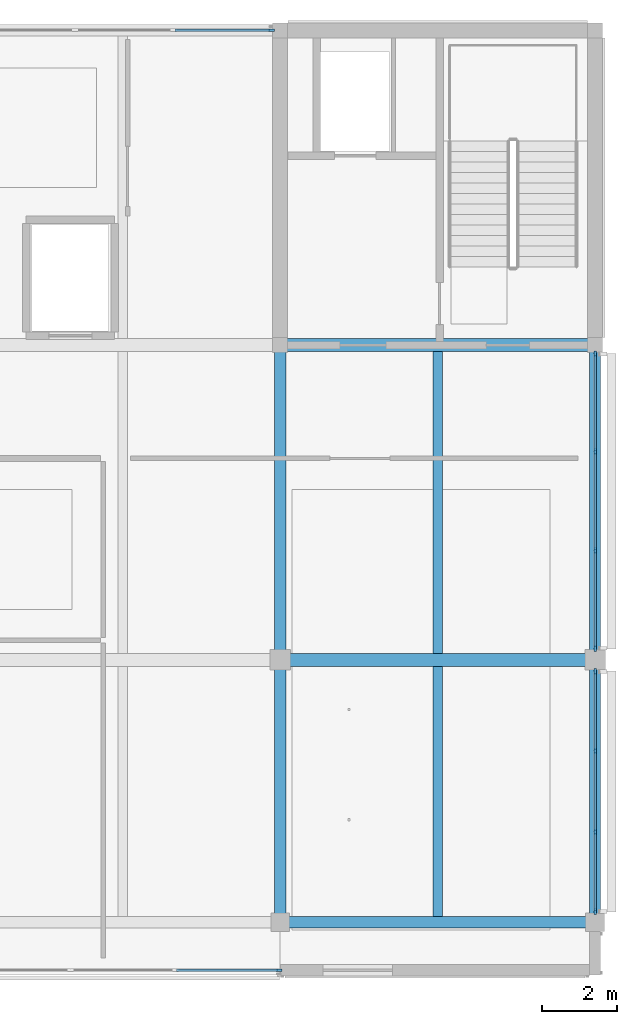
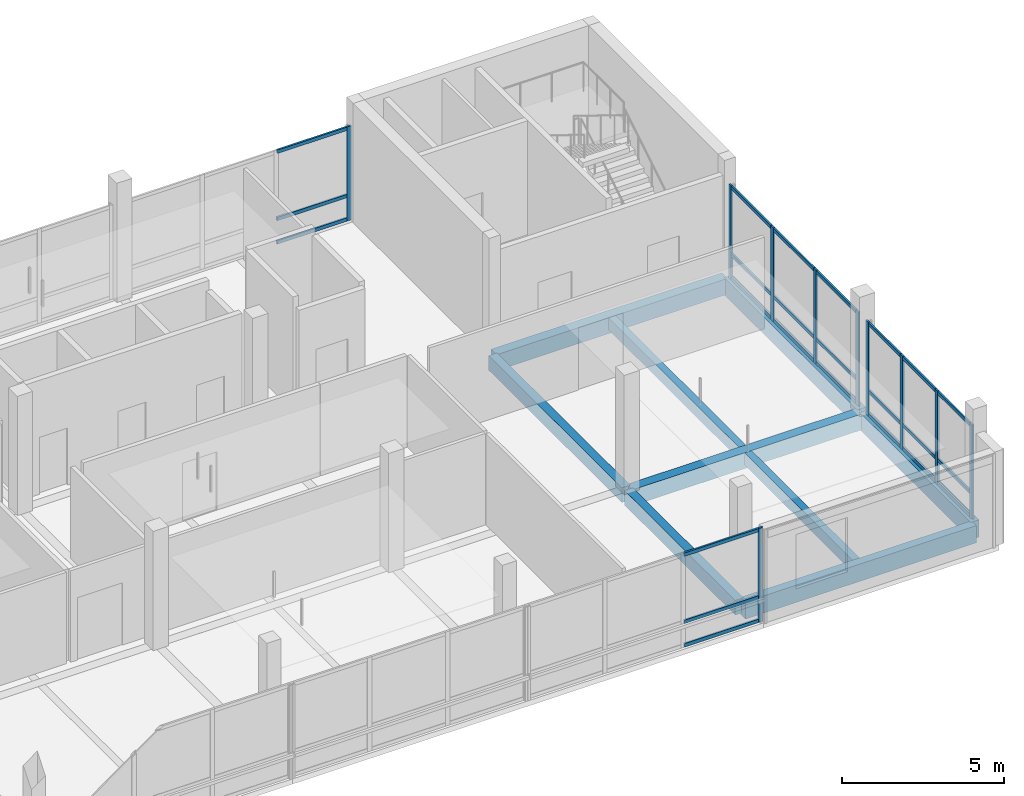
# One storey, part 5 of 20: 34 members, 9 beams, 4 elements without a shape of their own.
"""IFC4 building model written with IfcOpenShell, lengths in metres."""

from ifc_helpers import new_model, si_unit, direction, frame, origin, origin_2d, place, context, subcontext, project, spatial, rectangle, extrude, material, layer, layer_set, material_profile, profile_set, type_object, element, aggregate, save


model = new_model("IFC4")

# Units and contexts
model_context = context("Model", 3, precision=1e-05, world=origin(), true_north=direction((0.0, 1.0)))
body_context = subcontext(model_context, "Body", "Model", "MODEL_VIEW")
ifc_project = project(units=[si_unit("LENGTHUNIT", "METRE"), si_unit("AREAUNIT", "SQUARE_METRE"), si_unit("VOLUMEUNIT", "CUBIC_METRE"), si_unit("PLANEANGLEUNIT", "RADIAN"), si_unit("MASSUNIT", "GRAM", prefix="KILO")], contexts=[model_context])

# Site, building, storey
site_placement = place(None, origin())
site = spatial("IfcSite", under=ifc_project, at=site_placement, CompositionType="ELEMENT")
building_placement = place(site_placement, origin())
building = spatial("IfcBuilding", under=site, at=building_placement, Name="Telukmera Botanical Conservatory", CompositionType="ELEMENT")
storey_placement = place(building_placement, frame((0.0, 0.0, 69.0)))
storey = spatial("IfcBuildingStorey", under=building, at=storey_placement, Name="L15", CompositionType="ELEMENT", Elevation=69.0)

# Beams
ifc_material_1 = material(Name="Concrete C40/50", Category="concrete")
ifc_material_profile_1 = material_profile(ifc_material_1, rectangle(XDim=0.300048828125, YDim=0.550048828125, at=origin_2d()), Name="RC 300x550")
ifc_profile_set_1 = profile_set([ifc_material_profile_1], Name="Concrete C40/50")
beam_type_1 = type_object("IfcBeamType", Name="Beam_B10", PredefinedType="BEAM", material=ifc_profile_set_1)
beam_1_placement = place(storey_placement, frame((92.39990234375, 10.679931640625, -0.27490234375), z_axis=(0.0, 1.0, 0.0), x_axis=(-1.0, 0.0, 0.0)))
element("IfcBeam", 1, at=beam_1_placement, inside=storey, type_object=beam_type_1, Name="Tower Transverse Beam L15", PredefinedType="BEAM", context=body_context, shape_type="SweptSolid", body=[
    extrude(rectangle(XDim=0.300048828125, YDim=0.550048828125, at=origin_2d()), origin(), (0.0, 0.0, 1.0), 6.840087890625),
])
beam_2_placement = place(storey_placement, frame((92.39990234375, 17.679931640625, -0.27490234375), z_axis=(0.0, 1.0, 0.0), x_axis=(-1.0, 0.0, 0.0)))
element("IfcBeam", 2, at=beam_2_placement, inside=storey, type_object=beam_type_1, Name="Tower Transverse Beam L15", PredefinedType="BEAM", context=body_context, shape_type="SweptSolid", body=[
    extrude(rectangle(XDim=0.300048828125, YDim=0.550048828125, at=origin_2d()), origin(), (0.0, 0.0, 1.0), 8.239990234375),
])
ifc_material_profile_2 = material_profile(ifc_material_1, rectangle(XDim=0.25, YDim=0.449951171875, at=origin_2d()), Name="RC 250x450")
ifc_profile_set_2 = profile_set([ifc_material_profile_2], Name="Concrete C40/50")
beam_type_2 = type_object("IfcBeamType", Name="Beam_B27", PredefinedType="JOIST", material=ifc_profile_set_2)
beam_3_placement = place(storey_placement, frame((96.60009765625, 10.75, -0.22509765625), z_axis=(0.0, 1.0, 0.0), x_axis=(-1.0, 0.0, 0.0)))
element("IfcBeam", 3, at=beam_3_placement, inside=storey, type_object=beam_type_2, Name="Tower Secondary Floor Joist L15", PredefinedType="JOIST", context=body_context, shape_type="SweptSolid", body=[
    extrude(rectangle(XDim=0.25, YDim=0.449951171875, at=origin_2d()), origin(), (0.0, 0.0, 1.0), 6.675048828125),
])
beam_4_placement = place(storey_placement, frame((96.60009765625, 17.77490234375, -0.22509765625), z_axis=(0.0, 1.0, 0.0), x_axis=(-1.0, 0.0, 0.0)))
element("IfcBeam", 4, at=beam_4_placement, inside=storey, type_object=beam_type_2, Name="Tower Secondary Floor Joist L15", PredefinedType="JOIST", context=body_context, shape_type="SweptSolid", body=[
    extrude(rectangle(XDim=0.25, YDim=0.449951171875, at=origin_2d()), origin(), (0.0, 0.0, 1.0), 8.050048828125),
])
ifc_material_profile_3 = material_profile(ifc_material_1, rectangle(XDim=0.35009765625, YDim=0.60009765625, at=origin_2d()), Name="RC 350x600")
ifc_profile_set_3 = profile_set([ifc_material_profile_3], Name="Concrete C40/50")
beam_type_3 = type_object("IfcBeamType", Name="Beam_B9", PredefinedType="BEAM", material=ifc_profile_set_3)
for number, where, z_axis, x_axis, name in (
    (5, (92.47998046875, 17.60009765625, -0.300048828125), (1.0, 0.0, 0.0), (0.0, 1.0, 0.0), "Tower Grid Beam L15"),
    (6, (92.47998046875, 26.0, -0.300048828125), (1.0, 0.0, 0.0), (0.0, 1.0, 0.0), "Tower Grid Beam L15"),
):
    element("IfcBeam", number, at=place(storey_placement, frame(where, z_axis=z_axis, x_axis=x_axis)), inside=storey, type_object=beam_type_3, Name=name, PredefinedType="BEAM", context=body_context, shape_type="SweptSolid", body=[
        extrude(rectangle(XDim=0.35009765625, YDim=0.60009765625, at=origin_2d()), origin(), (0.0, 0.0, 1.0), 8.239990234375),
    ])
ifc_material_2 = material(Name="Precast concrete C40/50", Category="concrete")
ifc_material_profile_4 = material_profile(ifc_material_2, rectangle(XDim=0.300048828125, YDim=0.64990234375, at=origin_2d()), Name="PC 300x650")
ifc_profile_set_4 = profile_set([ifc_material_profile_4], Name="Precast concrete C40/50")
beam_type_4 = type_object("IfcBeamType", Name="Beam_SP4", PredefinedType="SPANDREL", material=ifc_profile_set_4)
beam_5_placement = place(storey_placement, frame((92.47998046875, 10.60009765625, -0.324951171875), z_axis=(1.0, 0.0, 0.0), x_axis=(0.0, 1.0, 0.0)))
element("IfcBeam", 7, at=beam_5_placement, inside=storey, type_object=beam_type_4, Name="Tower Grid Beam L15", PredefinedType="SPANDREL", context=body_context, shape_type="SweptSolid", body=[
    extrude(rectangle(XDim=0.300048828125, YDim=0.64990234375, at=origin_2d()), origin(), (0.0, 0.0, 1.0), 8.239990234375),
])
beam_6_placement = place(storey_placement, frame((100.800048828125, 10.679931640625, -0.324951171875), z_axis=(0.0, 1.0, 0.0), x_axis=(-1.0, 0.0, 0.0)))
element("IfcBeam", 8, at=beam_6_placement, inside=storey, type_object=beam_type_4, Name="Tower Transverse Beam L15", PredefinedType="SPANDREL", context=body_context, shape_type="SweptSolid", body=[
    extrude(rectangle(XDim=0.300048828125, YDim=0.64990234375, at=origin_2d()), origin(), (0.0, 0.0, 1.0), 6.840087890625),
])
beam_7_placement = place(storey_placement, frame((100.800048828125, 17.679931640625, -0.324951171875), z_axis=(0.0, 1.0, 0.0), x_axis=(-1.0, 0.0, 0.0)))
element("IfcBeam", 9, at=beam_7_placement, inside=storey, type_object=beam_type_4, Name="Tower Transverse Beam L15", PredefinedType="SPANDREL", context=body_context, shape_type="SweptSolid", body=[
    extrude(rectangle(XDim=0.300048828125, YDim=0.64990234375, at=origin_2d()), origin(), (0.0, 0.0, 1.0), 8.239990234375),
])

# Curtain wall, member
ifc_material_3 = material(Name="Anodised aluminium 6063-T6", Category="aluminium")
ifc_layer = layer(ifc_material_3, 0.179931640625)
ifc_layer_set = layer_set([ifc_layer], Name="Anodised aluminium 6063-T6")
curtain_wall_type = type_object("IfcCurtainWallType", Name="Tower Sky Gallery Panoramic Curtain Wall", PredefinedType="USERDEFINED", material=ifc_layer_set)
curtain_wall_1_placement = place(storey_placement, origin())
curtain_wall_1 = element("IfcCurtainWall", 10, at=curtain_wall_1_placement, inside=storey, type_object=curtain_wall_type, Name="Unitised Curtain Wall CW16 V4:L15:S4", ObjectType="UNITISED CURTAIN WALL", PredefinedType="USERDEFINED")
ifc_material_profile_5 = material_profile(ifc_material_3, rectangle(XDim=0.06494140625, YDim=0.159912109375, at=origin_2d()), Name="ALU MULL 65x160")
ifc_profile_set_5 = profile_set([ifc_material_profile_5], Name="Anodised aluminium 6063-T6")
member_type_1 = type_object("IfcMemberType", Name="Curtain Wall Extruded Mullion 65x160", PredefinedType="MULLION", material=ifc_profile_set_5)
member_1_placement = place(storey_placement, frame((92.365478515625, 9.320068359375, 0.0), z_axis=(0.0, 0.0, 1.0), x_axis=(0.0, 1.0, 0.0)))
member_1 = element("IfcMember", 11, at=member_1_placement, type_object=member_type_1, Name="CW16 mullion 4", PredefinedType="MULLION", context=body_context, shape_type="SweptSolid", body=[
    extrude(rectangle(XDim=0.06494140625, YDim=0.159912109375, at=origin_2d()), origin(), (0.0, 0.0, 1.0), 3.550048828125),
])

curtain_wall_2_placement = place(storey_placement, origin())
curtain_wall_2 = element("IfcCurtainWall", 12, at=curtain_wall_2_placement, inside=storey, type_object=curtain_wall_type, Name="Unitised Curtain Wall CW16 V4:L15:N4", ObjectType="UNITISED CURTAIN WALL", PredefinedType="USERDEFINED")
member_2_placement = place(storey_placement, frame((92.16552734375, 34.39990234375, 0.0), z_axis=(0.0, 0.0, 1.0), x_axis=(0.0, 1.0, 0.0)))
member_2 = element("IfcMember", 13, at=member_2_placement, type_object=member_type_1, Name="CW16 mullion 4", PredefinedType="MULLION", context=body_context, shape_type="SweptSolid", body=[
    extrude(rectangle(XDim=0.06494140625, YDim=0.159912109375, at=origin_2d()), origin(), (0.0, 0.0, 1.0), 3.550048828125),
])

# Curtain wall, members
curtain_wall_3_placement = place(storey_placement, origin())
curtain_wall_3 = element("IfcCurtainWall", 14, at=curtain_wall_3_placement, inside=storey, type_object=curtain_wall_type, Name="Unitised Curtain Wall CW16 V4:L15:E1", ObjectType="UNITISED CURTAIN WALL", PredefinedType="USERDEFINED")
member_3_placement = place(storey_placement, frame((100.800048828125, 10.884521484375, 0.0), z_axis=(0.0, 0.0, 1.0), x_axis=(-1.0, 0.0, 0.0)))
member_3 = element("IfcMember", 15, at=member_3_placement, type_object=member_type_1, Name="CW16 mullion 1", PredefinedType="MULLION", context=body_context, shape_type="SweptSolid", body=[
    extrude(rectangle(XDim=0.06494140625, YDim=0.159912109375, at=origin_2d()), origin(), (0.0, 0.0, 1.0), 3.550048828125),
])
member_4_placement = place(storey_placement, frame((100.800048828125, 13.009033203125, 0.0), z_axis=(0.0, 0.0, 1.0), x_axis=(-1.0, 0.0, 0.0)))
member_4 = element("IfcMember", 16, at=member_4_placement, type_object=member_type_1, Name="CW16 mullion 2", PredefinedType="MULLION", context=body_context, shape_type="SweptSolid", body=[
    extrude(rectangle(XDim=0.06494140625, YDim=0.159912109375, at=origin_2d()), origin(), (0.0, 0.0, 1.0), 3.550048828125),
])
member_5_placement = place(storey_placement, frame((100.800048828125, 15.166015625, 0.0), z_axis=(0.0, 0.0, 1.0), x_axis=(-1.0, 0.0, 0.0)))
member_5 = element("IfcMember", 17, at=member_5_placement, type_object=member_type_1, Name="CW16 mullion 3", PredefinedType="MULLION", context=body_context, shape_type="SweptSolid", body=[
    extrude(rectangle(XDim=0.06494140625, YDim=0.159912109375, at=origin_2d()), origin(), (0.0, 0.0, 1.0), 3.550048828125),
])
member_6_placement = place(storey_placement, frame((100.800048828125, 17.29052734375, 0.0), z_axis=(0.0, 0.0, 1.0), x_axis=(-1.0, 0.0, 0.0)))
member_6 = element("IfcMember", 18, at=member_6_placement, type_object=member_type_1, Name="CW16 mullion 4", PredefinedType="MULLION", context=body_context, shape_type="SweptSolid", body=[
    extrude(rectangle(XDim=0.06494140625, YDim=0.159912109375, at=origin_2d()), origin(), (0.0, 0.0, 1.0), 3.550048828125),
])

curtain_wall_4_placement = place(storey_placement, origin())
curtain_wall_4 = element("IfcCurtainWall", 19, at=curtain_wall_4_placement, inside=storey, type_object=curtain_wall_type, Name="Unitised Curtain Wall CW16 V4:L15:E2", ObjectType="UNITISED CURTAIN WALL", PredefinedType="USERDEFINED")
member_7_placement = place(storey_placement, frame((100.800048828125, 17.909423828125, 0.0), z_axis=(0.0, 0.0, 1.0), x_axis=(-1.0, 0.0, 0.0)))
member_7 = element("IfcMember", 20, at=member_7_placement, type_object=member_type_1, Name="CW16 mullion 1", PredefinedType="MULLION", context=body_context, shape_type="SweptSolid", body=[
    extrude(rectangle(XDim=0.06494140625, YDim=0.159912109375, at=origin_2d()), origin(), (0.0, 0.0, 1.0), 3.550048828125),
])
member_8_placement = place(storey_placement, frame((100.800048828125, 20.517333984375, 0.0), z_axis=(0.0, 0.0, 1.0), x_axis=(-1.0, 0.0, 0.0)))
member_8 = element("IfcMember", 21, at=member_8_placement, type_object=member_type_1, Name="CW16 mullion 2", PredefinedType="MULLION", context=body_context, shape_type="SweptSolid", body=[
    extrude(rectangle(XDim=0.06494140625, YDim=0.159912109375, at=origin_2d()), origin(), (0.0, 0.0, 1.0), 3.550048828125),
])
member_9_placement = place(storey_placement, frame((100.800048828125, 23.15771484375, 0.0), z_axis=(0.0, 0.0, 1.0), x_axis=(-1.0, 0.0, 0.0)))
member_9 = element("IfcMember", 22, at=member_9_placement, type_object=member_type_1, Name="CW16 mullion 3", PredefinedType="MULLION", context=body_context, shape_type="SweptSolid", body=[
    extrude(rectangle(XDim=0.06494140625, YDim=0.159912109375, at=origin_2d()), origin(), (0.0, 0.0, 1.0), 3.550048828125),
])
member_10_placement = place(storey_placement, frame((100.800048828125, 25.765380859375, 0.0), z_axis=(0.0, 0.0, 1.0), x_axis=(-1.0, 0.0, 0.0)))
member_10 = element("IfcMember", 23, at=member_10_placement, type_object=member_type_1, Name="CW16 mullion 4", PredefinedType="MULLION", context=body_context, shape_type="SweptSolid", body=[
    extrude(rectangle(XDim=0.06494140625, YDim=0.159912109375, at=origin_2d()), origin(), (0.0, 0.0, 1.0), 3.550048828125),
])

# Member
ifc_material_profile_6 = material_profile(ifc_material_3, rectangle(XDim=0.06494140625, YDim=0.1298828125, at=origin_2d()), Name="ALU TRAN 65x130")
ifc_profile_set_6 = profile_set([ifc_material_profile_6], Name="Anodised aluminium 6063-T6")
member_type_2 = type_object("IfcMemberType", Name="Curtain Wall Extruded Transom 65x130", PredefinedType="USERDEFINED", material=ifc_profile_set_6)
member_11_placement = place(storey_placement, frame((89.6318359375, 9.320068359375, 0.06494140625), z_axis=(1.0, 0.0, 0.0), x_axis=(0.0, 1.0, 0.0)))
member_11 = element("IfcMember", 24, at=member_11_placement, type_object=member_type_2, Name="CW16 transom 3.1", ObjectType="TRANSOM", PredefinedType="USERDEFINED", context=body_context, shape_type="SweptSolid", body=[
    extrude(rectangle(XDim=0.06494140625, YDim=0.1298828125, at=origin_2d()), origin(), (0.0, 0.0, 1.0), 2.701171875),
])

member_12_placement = place(storey_placement, frame((89.6318359375, 9.320068359375, 0.949951171875), z_axis=(1.0, 0.0, 0.0), x_axis=(0.0, 1.0, 0.0)))
member_12 = element("IfcMember", 25, at=member_12_placement, type_object=member_type_2, Name="CW16 transom 3.2", ObjectType="TRANSOM", PredefinedType="USERDEFINED", context=body_context, shape_type="SweptSolid", body=[
    extrude(rectangle(XDim=0.06494140625, YDim=0.1298828125, at=origin_2d()), origin(), (0.0, 0.0, 1.0), 2.701171875),
])

member_13_placement = place(storey_placement, frame((89.6318359375, 9.320068359375, 3.485107421875), z_axis=(1.0, 0.0, 0.0), x_axis=(0.0, 1.0, 0.0)))
member_13 = element("IfcMember", 26, at=member_13_placement, type_object=member_type_2, Name="CW16 transom 3.3", ObjectType="TRANSOM", PredefinedType="USERDEFINED", context=body_context, shape_type="SweptSolid", body=[
    extrude(rectangle(XDim=0.06494140625, YDim=0.1298828125, at=origin_2d()), origin(), (0.0, 0.0, 1.0), 2.701171875),
])

aggregate(curtain_wall_1, [member_1, member_11, member_12, member_13])

member_14_placement = place(storey_placement, frame((89.590087890625, 34.39990234375, 0.06494140625), z_axis=(1.0, 0.0, 0.0), x_axis=(0.0, 1.0, 0.0)))
member_14 = element("IfcMember", 27, at=member_14_placement, type_object=member_type_2, Name="CW16 transom 3.1", ObjectType="TRANSOM", PredefinedType="USERDEFINED", context=body_context, shape_type="SweptSolid", body=[
    extrude(rectangle(XDim=0.06494140625, YDim=0.1298828125, at=origin_2d()), origin(), (0.0, 0.0, 1.0), 2.54296875),
])

member_15_placement = place(storey_placement, frame((89.590087890625, 34.39990234375, 0.949951171875), z_axis=(1.0, 0.0, 0.0), x_axis=(0.0, 1.0, 0.0)))
member_15 = element("IfcMember", 28, at=member_15_placement, type_object=member_type_2, Name="CW16 transom 3.2", ObjectType="TRANSOM", PredefinedType="USERDEFINED", context=body_context, shape_type="SweptSolid", body=[
    extrude(rectangle(XDim=0.06494140625, YDim=0.1298828125, at=origin_2d()), origin(), (0.0, 0.0, 1.0), 2.54296875),
])

member_16_placement = place(storey_placement, frame((89.590087890625, 34.39990234375, 3.485107421875), z_axis=(1.0, 0.0, 0.0), x_axis=(0.0, 1.0, 0.0)))
member_16 = element("IfcMember", 29, at=member_16_placement, type_object=member_type_2, Name="CW16 transom 3.3", ObjectType="TRANSOM", PredefinedType="USERDEFINED", context=body_context, shape_type="SweptSolid", body=[
    extrude(rectangle(XDim=0.06494140625, YDim=0.1298828125, at=origin_2d()), origin(), (0.0, 0.0, 1.0), 2.54296875),
])

aggregate(curtain_wall_2, [member_2, member_14, member_15, member_16])

member_17_placement = place(storey_placement, frame((100.800048828125, 10.9169921875, 0.06494140625), z_axis=(0.0, 1.0, 0.0), x_axis=(-1.0, 0.0, 0.0)))
member_17 = element("IfcMember", 30, at=member_17_placement, type_object=member_type_2, Name="CW16 transom 1.1", ObjectType="TRANSOM", PredefinedType="USERDEFINED", context=body_context, shape_type="SweptSolid", body=[
    extrude(rectangle(XDim=0.06494140625, YDim=0.1298828125, at=origin_2d()), origin(), (0.0, 0.0, 1.0), 2.0595703125),
])

member_18_placement = place(storey_placement, frame((100.800048828125, 10.9169921875, 0.949951171875), z_axis=(0.0, 1.0, 0.0), x_axis=(-1.0, 0.0, 0.0)))
member_18 = element("IfcMember", 31, at=member_18_placement, type_object=member_type_2, Name="CW16 transom 1.2", ObjectType="TRANSOM", PredefinedType="USERDEFINED", context=body_context, shape_type="SweptSolid", body=[
    extrude(rectangle(XDim=0.06494140625, YDim=0.1298828125, at=origin_2d()), origin(), (0.0, 0.0, 1.0), 2.0595703125),
])

member_19_placement = place(storey_placement, frame((100.800048828125, 10.9169921875, 3.485107421875), z_axis=(0.0, 1.0, 0.0), x_axis=(-1.0, 0.0, 0.0)))
member_19 = element("IfcMember", 32, at=member_19_placement, type_object=member_type_2, Name="CW16 transom 1.3", ObjectType="TRANSOM", PredefinedType="USERDEFINED", context=body_context, shape_type="SweptSolid", body=[
    extrude(rectangle(XDim=0.06494140625, YDim=0.1298828125, at=origin_2d()), origin(), (0.0, 0.0, 1.0), 2.0595703125),
])

member_20_placement = place(storey_placement, frame((100.800048828125, 13.04150390625, 0.06494140625), z_axis=(0.0, 1.0, 0.0), x_axis=(-1.0, 0.0, 0.0)))
member_20 = element("IfcMember", 33, at=member_20_placement, type_object=member_type_2, Name="CW16 transom 2.1", ObjectType="TRANSOM", PredefinedType="USERDEFINED", context=body_context, shape_type="SweptSolid", body=[
    extrude(rectangle(XDim=0.06494140625, YDim=0.1298828125, at=origin_2d()), origin(), (0.0, 0.0, 1.0), 2.092041015625),
])

member_21_placement = place(storey_placement, frame((100.800048828125, 13.04150390625, 0.949951171875), z_axis=(0.0, 1.0, 0.0), x_axis=(-1.0, 0.0, 0.0)))
member_21 = element("IfcMember", 34, at=member_21_placement, type_object=member_type_2, Name="CW16 transom 2.2", ObjectType="TRANSOM", PredefinedType="USERDEFINED", context=body_context, shape_type="SweptSolid", body=[
    extrude(rectangle(XDim=0.06494140625, YDim=0.1298828125, at=origin_2d()), origin(), (0.0, 0.0, 1.0), 2.092041015625),
])

member_22_placement = place(storey_placement, frame((100.800048828125, 13.04150390625, 3.485107421875), z_axis=(0.0, 1.0, 0.0), x_axis=(-1.0, 0.0, 0.0)))
member_22 = element("IfcMember", 35, at=member_22_placement, type_object=member_type_2, Name="CW16 transom 2.3", ObjectType="TRANSOM", PredefinedType="USERDEFINED", context=body_context, shape_type="SweptSolid", body=[
    extrude(rectangle(XDim=0.06494140625, YDim=0.1298828125, at=origin_2d()), origin(), (0.0, 0.0, 1.0), 2.092041015625),
])

member_23_placement = place(storey_placement, frame((100.800048828125, 15.198486328125, 0.06494140625), z_axis=(0.0, 1.0, 0.0), x_axis=(-1.0, 0.0, 0.0)))
member_23 = element("IfcMember", 36, at=member_23_placement, type_object=member_type_2, Name="CW16 transom 3.1", ObjectType="TRANSOM", PredefinedType="USERDEFINED", context=body_context, shape_type="SweptSolid", body=[
    extrude(rectangle(XDim=0.06494140625, YDim=0.1298828125, at=origin_2d()), origin(), (0.0, 0.0, 1.0), 2.0595703125),
])

member_24_placement = place(storey_placement, frame((100.800048828125, 15.198486328125, 0.949951171875), z_axis=(0.0, 1.0, 0.0), x_axis=(-1.0, 0.0, 0.0)))
member_24 = element("IfcMember", 37, at=member_24_placement, type_object=member_type_2, Name="CW16 transom 3.2", ObjectType="TRANSOM", PredefinedType="USERDEFINED", context=body_context, shape_type="SweptSolid", body=[
    extrude(rectangle(XDim=0.06494140625, YDim=0.1298828125, at=origin_2d()), origin(), (0.0, 0.0, 1.0), 2.0595703125),
])

member_25_placement = place(storey_placement, frame((100.800048828125, 15.198486328125, 3.485107421875), z_axis=(0.0, 1.0, 0.0), x_axis=(-1.0, 0.0, 0.0)))
member_25 = element("IfcMember", 38, at=member_25_placement, type_object=member_type_2, Name="CW16 transom 3.3", ObjectType="TRANSOM", PredefinedType="USERDEFINED", context=body_context, shape_type="SweptSolid", body=[
    extrude(rectangle(XDim=0.06494140625, YDim=0.1298828125, at=origin_2d()), origin(), (0.0, 0.0, 1.0), 2.0595703125),
])

aggregate(curtain_wall_3, [member_3, member_4, member_5, member_6, member_17, member_18, member_19, member_20, member_21, member_22, member_23, member_24, member_25])

member_26_placement = place(storey_placement, frame((100.800048828125, 17.94189453125, 0.06494140625), z_axis=(0.0, 1.0, 0.0), x_axis=(-1.0, 0.0, 0.0)))
member_26 = element("IfcMember", 39, at=member_26_placement, type_object=member_type_2, Name="CW16 transom 1.1", ObjectType="TRANSOM", PredefinedType="USERDEFINED", context=body_context, shape_type="SweptSolid", body=[
    extrude(rectangle(XDim=0.06494140625, YDim=0.1298828125, at=origin_2d()), origin(), (0.0, 0.0, 1.0), 2.54296875),
])

member_27_placement = place(storey_placement, frame((100.800048828125, 17.94189453125, 0.949951171875), z_axis=(0.0, 1.0, 0.0), x_axis=(-1.0, 0.0, 0.0)))
member_27 = element("IfcMember", 40, at=member_27_placement, type_object=member_type_2, Name="CW16 transom 1.2", ObjectType="TRANSOM", PredefinedType="USERDEFINED", context=body_context, shape_type="SweptSolid", body=[
    extrude(rectangle(XDim=0.06494140625, YDim=0.1298828125, at=origin_2d()), origin(), (0.0, 0.0, 1.0), 2.54296875),
])

member_28_placement = place(storey_placement, frame((100.800048828125, 17.94189453125, 3.485107421875), z_axis=(0.0, 1.0, 0.0), x_axis=(-1.0, 0.0, 0.0)))
member_28 = element("IfcMember", 41, at=member_28_placement, type_object=member_type_2, Name="CW16 transom 1.3", ObjectType="TRANSOM", PredefinedType="USERDEFINED", context=body_context, shape_type="SweptSolid", body=[
    extrude(rectangle(XDim=0.06494140625, YDim=0.1298828125, at=origin_2d()), origin(), (0.0, 0.0, 1.0), 2.54296875),
])

member_29_placement = place(storey_placement, frame((100.800048828125, 20.5498046875, 0.06494140625), z_axis=(0.0, 1.0, 0.0), x_axis=(-1.0, 0.0, 0.0)))
member_29 = element("IfcMember", 42, at=member_29_placement, type_object=member_type_2, Name="CW16 transom 2.1", ObjectType="TRANSOM", PredefinedType="USERDEFINED", context=body_context, shape_type="SweptSolid", body=[
    extrude(rectangle(XDim=0.06494140625, YDim=0.1298828125, at=origin_2d()), origin(), (0.0, 0.0, 1.0), 2.575439453125),
])

member_30_placement = place(storey_placement, frame((100.800048828125, 20.5498046875, 0.949951171875), z_axis=(0.0, 1.0, 0.0), x_axis=(-1.0, 0.0, 0.0)))
member_30 = element("IfcMember", 43, at=member_30_placement, type_object=member_type_2, Name="CW16 transom 2.2", ObjectType="TRANSOM", PredefinedType="USERDEFINED", context=body_context, shape_type="SweptSolid", body=[
    extrude(rectangle(XDim=0.06494140625, YDim=0.1298828125, at=origin_2d()), origin(), (0.0, 0.0, 1.0), 2.575439453125),
])

member_31_placement = place(storey_placement, frame((100.800048828125, 20.5498046875, 3.485107421875), z_axis=(0.0, 1.0, 0.0), x_axis=(-1.0, 0.0, 0.0)))
member_31 = element("IfcMember", 44, at=member_31_placement, type_object=member_type_2, Name="CW16 transom 2.3", ObjectType="TRANSOM", PredefinedType="USERDEFINED", context=body_context, shape_type="SweptSolid", body=[
    extrude(rectangle(XDim=0.06494140625, YDim=0.1298828125, at=origin_2d()), origin(), (0.0, 0.0, 1.0), 2.575439453125),
])

member_32_placement = place(storey_placement, frame((100.800048828125, 23.190185546875, 0.06494140625), z_axis=(0.0, 1.0, 0.0), x_axis=(-1.0, 0.0, 0.0)))
member_32 = element("IfcMember", 45, at=member_32_placement, type_object=member_type_2, Name="CW16 transom 3.1", ObjectType="TRANSOM", PredefinedType="USERDEFINED", context=body_context, shape_type="SweptSolid", body=[
    extrude(rectangle(XDim=0.06494140625, YDim=0.1298828125, at=origin_2d()), origin(), (0.0, 0.0, 1.0), 2.542724609375),
])

member_33_placement = place(storey_placement, frame((100.800048828125, 23.190185546875, 0.949951171875), z_axis=(0.0, 1.0, 0.0), x_axis=(-1.0, 0.0, 0.0)))
member_33 = element("IfcMember", 46, at=member_33_placement, type_object=member_type_2, Name="CW16 transom 3.2", ObjectType="TRANSOM", PredefinedType="USERDEFINED", context=body_context, shape_type="SweptSolid", body=[
    extrude(rectangle(XDim=0.06494140625, YDim=0.1298828125, at=origin_2d()), origin(), (0.0, 0.0, 1.0), 2.542724609375),
])

member_34_placement = place(storey_placement, frame((100.800048828125, 23.190185546875, 3.485107421875), z_axis=(0.0, 1.0, 0.0), x_axis=(-1.0, 0.0, 0.0)))
member_34 = element("IfcMember", 47, at=member_34_placement, type_object=member_type_2, Name="CW16 transom 3.3", ObjectType="TRANSOM", PredefinedType="USERDEFINED", context=body_context, shape_type="SweptSolid", body=[
    extrude(rectangle(XDim=0.06494140625, YDim=0.1298828125, at=origin_2d()), origin(), (0.0, 0.0, 1.0), 2.542724609375),
])

aggregate(curtain_wall_4, [member_7, member_8, member_9, member_10, member_26, member_27, member_28, member_29, member_30, member_31, member_32, member_33, member_34])

save(model, "model.ifc")
